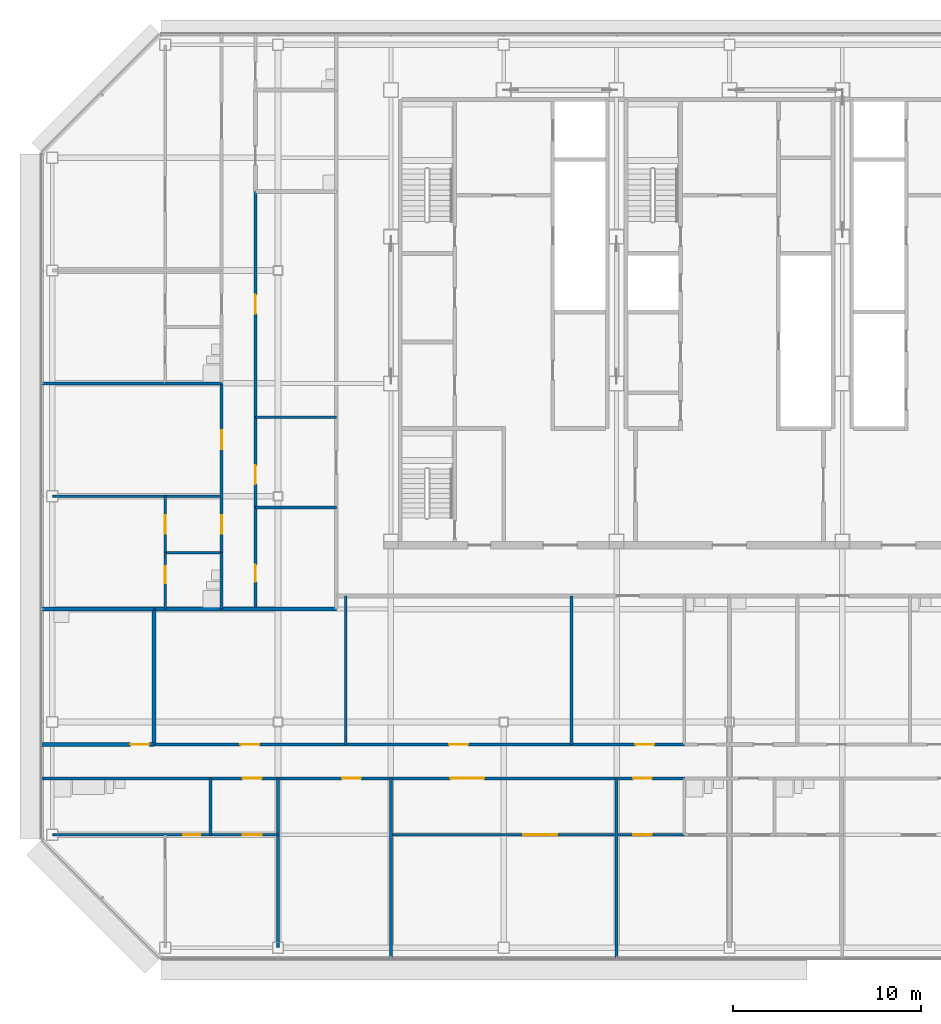
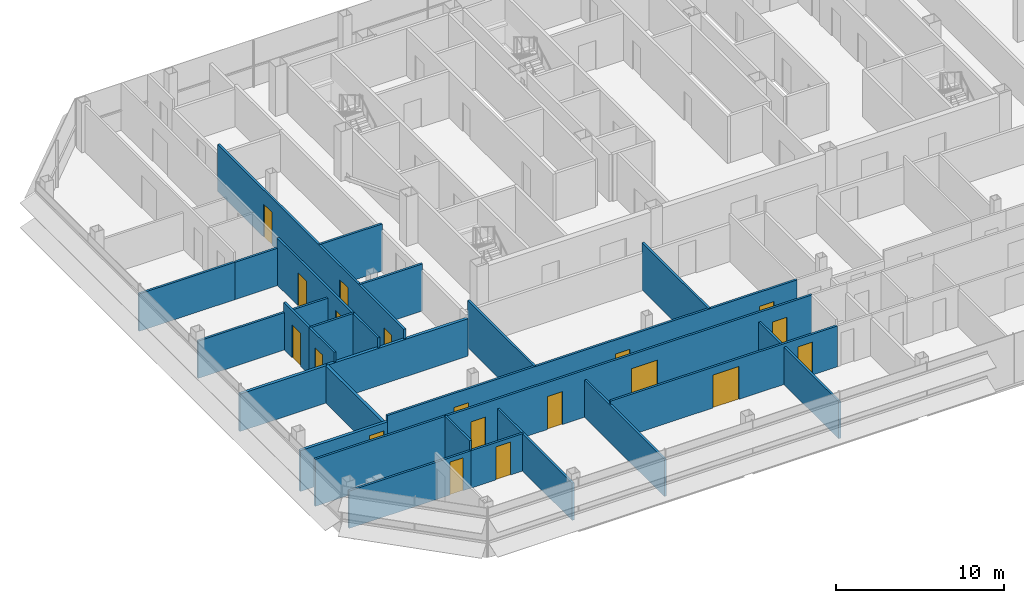
# One storey, part 21 of 28: 27 walls, 19 doors, 19 openings.
"""IFC4 building model written with IfcOpenShell, lengths in metres."""

from ifc_helpers import new_model, si_unit, direction, frame, frame_2d, origin, place, context, subcontext, project, spatial, rectangle, extrude, material, layer, layer_set, type_object, element, fill, save


model = new_model("IFC4")

# Units and contexts
model_context = context("Model", 3, precision=1e-05, world=origin(), true_north=direction((0.0, 1.0)))
body_context = subcontext(model_context, "Body", "Model", "MODEL_VIEW")
ifc_project = project(units=[si_unit("LENGTHUNIT", "METRE"), si_unit("AREAUNIT", "SQUARE_METRE"), si_unit("VOLUMEUNIT", "CUBIC_METRE"), si_unit("PLANEANGLEUNIT", "RADIAN"), si_unit("MASSUNIT", "GRAM", prefix="KILO")], contexts=[model_context])

# Site, building, storey
site_placement = place(None, origin())
site = spatial("IfcSite", under=ifc_project, at=site_placement, CompositionType="ELEMENT")
building_placement = place(site_placement, origin())
building = spatial("IfcBuilding", under=site, at=building_placement, Name="Sorahane Residences", CompositionType="ELEMENT")
storey_placement = place(building_placement, frame((0.0, 0.0, 266.60009765625)))
storey = spatial("IfcBuildingStorey", under=building, at=storey_placement, Name="L63", CompositionType="ELEMENT", Elevation=266.60009765625)

# Wall
ifc_material_1 = material(Name="Concrete blockwork C20 wall", Category="masonry")
ifc_layer_1 = layer(ifc_material_1, 0.199951171875)
ifc_layer_set_1 = layer_set([ifc_layer_1], Name="Kitchen wall 200 EI 180")
wall_type_1 = type_object("IfcWallType", Name="Kitchen wall 200 EI 180", PredefinedType="SOLIDWALL", material=ifc_layer_set_1)
wall_1_placement = place(storey_placement, frame((-6.60009765625, 10.800048828125, 0.0), z_axis=(0.0, 0.0, 1.0), x_axis=(0.0, 1.0, 0.0)))
element("IfcWall", 1, at=wall_1_placement, inside=storey, type_object=wall_type_1, Name="L63 kitchen wall", PredefinedType="SOLIDWALL", context=body_context, shape_type="SweptSolid", body=[
    extrude(rectangle(XDim=7.199951171875, YDim=0.199951171875, at=frame_2d((3.60009765625, 0.0))), origin(), (0.0, 0.0, 1.0), 2.719970703125),
])

# Wall, opening, door
wall_2_placement = place(storey_placement, frame((-12.60009765625, 10.800048828125, 0.0), z_axis=(0.0, 0.0, 1.0), x_axis=(1.0, 0.0, 0.0)))
wall_2 = element("IfcWall", 2, at=wall_2_placement, inside=storey, type_object=wall_type_1, Name="L63 kitchen wall", PredefinedType="SOLIDWALL", context=body_context, shape_type="SweptSolid", body=[
    extrude(rectangle(XDim=6.0, YDim=0.199951171875, at=frame_2d((3.0, 0.0))), origin(), (0.0, 0.0, 1.0), 2.969970703125),
])
opening_1_placement = place(wall_2_placement, frame((4.75, 0.0, 0.0)))
opening_1 = element("IfcOpeningElement", 3, at=opening_1_placement, cuts=wall_2, Name="Opening L63-02", PredefinedType="OPENING", context=body_context, shape_type="SweptSolid", body=[
    extrude(rectangle(XDim=1.0, YDim=2.39990234375, at=frame_2d((0.5, 1.199951171875))), frame((0.0, 0.10986328125, 0.0), z_axis=(0.0, -1.0, 0.0), x_axis=(1.0, 0.0, 0.0)), (0.0, 0.0, 1.0), 0.219970703125),
])
ifc_material_2 = material(Name="Steel", Category="steel")
door_type_1 = type_object("IfcDoorType", Name="Kitchen door 1000x2400 FD120", OperationType="NOTDEFINED", PredefinedType="DOOR", material=ifc_material_2)
door_1_placement = place(opening_1_placement, origin())
door_1 = element("IfcDoor", 4, at=door_1_placement, inside=storey, type_object=door_type_1, Name="Kitchen door L63-02", OperationType="SINGLE_SWING_RIGHT", OverallHeight=2.39990234375, OverallWidth=1.0, PredefinedType="DOOR", context=body_context, shape_type="SweptSolid", body=[
    extrude(rectangle(XDim=1.0, YDim=2.39990234375, at=frame_2d((0.5, 1.199951171875))), frame((0.0, 0.02490234375, 0.0), z_axis=(0.0, -1.0, 0.0), x_axis=(1.0, 0.0, 0.0)), (0.0, 0.0, 1.0), 0.050048828125),
])
fill(opening_1, door_1)

# Wall
wall_3_placement = place(storey_placement, frame((-12.60009765625, 18.0, 0.0), z_axis=(0.0, 0.0, 1.0), x_axis=(1.0, 0.0, 0.0)))
element("IfcWall", 5, at=wall_3_placement, inside=storey, type_object=wall_type_1, Name="L63 kitchen wall", PredefinedType="SOLIDWALL", context=body_context, shape_type="SweptSolid", body=[
    extrude(rectangle(XDim=6.0, YDim=0.199951171875, at=frame_2d((3.0, 0.0))), origin(), (0.0, 0.0, 1.0), 2.719970703125),
])

# Wall, openings, doors
ifc_material_3 = material(Name="Gypsum board partition on steel studs", Category="steel")
ifc_layer_2 = layer(ifc_material_3, 0.14990234375)
ifc_layer_set_2 = layer_set([ifc_layer_2], Name="Partition 150 EI 90")
wall_type_2 = type_object("IfcWallType", Name="Partition 150 EI 90", PredefinedType="PARTITIONING", material=ifc_layer_set_2)
wall_4_placement = place(storey_placement, frame((-1.199951171875, 18.0, 0.0), z_axis=(0.0, 0.0, 1.0), x_axis=(0.0, 1.0, 0.0)))
wall_4 = element("IfcWall", 6, at=wall_4_placement, inside=storey, type_object=wall_type_2, Name="L63 partition", PredefinedType="PARTITIONING", context=body_context, shape_type="SweptSolid", body=[
    extrude(rectangle(XDim=22.199951171875, YDim=0.14990234375, at=frame_2d((11.10009765625, 0.0))), origin(), (0.0, 0.0, 1.0), 3.419921875),
])
opening_2_placement = place(wall_4_placement, frame((6.639892578125, 0.0, 0.0)))
opening_2 = element("IfcOpeningElement", 7, at=opening_2_placement, cuts=wall_4, Name="Opening L63-30", PredefinedType="OPENING", context=body_context, shape_type="SweptSolid", body=[
    extrude(rectangle(XDim=1.0, YDim=2.39990234375, at=frame_2d((0.5, 1.199951171875))), frame((0.0, 0.0849609375, 0.0), z_axis=(0.0, -1.0, 0.0), x_axis=(1.0, 0.0, 0.0)), (0.0, 0.0, 1.0), 0.169921875),
])
opening_3_placement = place(wall_4_placement, frame((1.449951171875, 0.0, 0.0)))
opening_3 = element("IfcOpeningElement", 8, at=opening_3_placement, cuts=wall_4, Name="Opening L63-31", PredefinedType="OPENING", context=body_context, shape_type="SweptSolid", body=[
    extrude(rectangle(XDim=0.89990234375, YDim=2.10009765625, at=frame_2d((0.449951171875, 1.050048828125))), frame((0.0, 0.0849609375, 0.0), z_axis=(0.0, -1.0, 0.0), x_axis=(1.0, 0.0, 0.0)), (0.0, 0.0, 1.0), 0.169921875),
])
opening_4_placement = place(wall_4_placement, frame((15.699951171875, 0.0, 0.0)))
opening_4 = element("IfcOpeningElement", 9, at=opening_4_placement, cuts=wall_4, Name="Opening L63-32", PredefinedType="OPENING", context=body_context, shape_type="SweptSolid", body=[
    extrude(rectangle(XDim=1.0, YDim=2.39990234375, at=frame_2d((0.5, 1.199951171875))), frame((0.0, 0.0849609375, 0.0), z_axis=(0.0, -1.0, 0.0), x_axis=(1.0, 0.0, 0.0)), (0.0, 0.0, 1.0), 0.169921875),
])
ifc_material_4 = material(Name="Timber veneered fire door", Category="wood")
door_type_2 = type_object("IfcDoorType", Name="Room door 1000x2400 FD30", OperationType="NOTDEFINED", PredefinedType="DOOR", material=ifc_material_4)
door_2_placement = place(opening_2_placement, origin())
door_2 = element("IfcDoor", 10, at=door_2_placement, inside=storey, type_object=door_type_2, Name="Room door L63-30", OperationType="SINGLE_SWING_RIGHT", OverallHeight=2.39990234375, OverallWidth=1.0, PredefinedType="DOOR", context=body_context, shape_type="SweptSolid", body=[
    extrude(rectangle(XDim=1.0, YDim=2.39990234375, at=frame_2d((0.5, 1.199951171875))), frame((0.0, 0.02490234375, 0.0), z_axis=(0.0, -1.0, 0.0), x_axis=(1.0, 0.0, 0.0)), (0.0, 0.0, 1.0), 0.050048828125),
])
fill(opening_2, door_2)
door_3_placement = place(opening_4_placement, frame((1.0, 0.0, 0.0), z_axis=(0.0, 0.0, 1.0), x_axis=(-1.0, 0.0, 0.0)))
door_3 = element("IfcDoor", 11, at=door_3_placement, inside=storey, type_object=door_type_2, Name="Room door L63-32", OperationType="SINGLE_SWING_RIGHT", OverallHeight=2.39990234375, OverallWidth=1.0, PredefinedType="DOOR", context=body_context, shape_type="SweptSolid", body=[
    extrude(rectangle(XDim=1.0, YDim=2.39990234375, at=frame_2d((0.5, 1.199951171875))), frame((0.0, 0.02490234375, 0.0), z_axis=(0.0, -1.0, 0.0), x_axis=(1.0, 0.0, 0.0)), (0.0, 0.0, 1.0), 0.050048828125),
])
fill(opening_4, door_3)
ifc_material_5 = material(Name="Timber veneered fire door", Category="wood")
door_type_3 = type_object("IfcDoorType", Name="Service door 900x2100 FD30", OperationType="NOTDEFINED", PredefinedType="DOOR", material=ifc_material_5)
door_4_placement = place(opening_3_placement, frame((0.89990234375, 0.0, 0.0), z_axis=(0.0, 0.0, 1.0), x_axis=(-1.0, 0.0, 0.0)))
door_4 = element("IfcDoor", 12, at=door_4_placement, inside=storey, type_object=door_type_3, Name="Service door L63-31", OperationType="SINGLE_SWING_RIGHT", OverallHeight=2.10009765625, OverallWidth=0.89990234375, PredefinedType="DOOR", context=body_context, shape_type="SweptSolid", body=[
    extrude(rectangle(XDim=0.89990234375, YDim=2.10009765625, at=frame_2d((0.449951171875, 1.050048828125))), frame((0.0, 0.02490234375, 0.0), z_axis=(0.0, -1.0, 0.0), x_axis=(1.0, 0.0, 0.0)), (0.0, 0.0, 1.0), 0.050048828125),
])
fill(opening_3, door_4)

wall_5_placement = place(storey_placement, frame((-3.0, 21.0, 0.0), z_axis=(0.0, 0.0, 1.0), x_axis=(0.0, 1.0, 0.0)))
wall_5 = element("IfcWall", 13, at=wall_5_placement, inside=storey, type_object=wall_type_2, Name="L63 partition", PredefinedType="PARTITIONING", context=body_context, shape_type="SweptSolid", body=[
    extrude(rectangle(XDim=9.0, YDim=0.14990234375, at=frame_2d((4.5, 0.0))), origin(), (0.0, 0.0, 1.0), 3.419921875),
])
opening_5_placement = place(wall_5_placement, frame((1.0, 0.0, 0.0)))
opening_5 = element("IfcOpeningElement", 14, at=opening_5_placement, cuts=wall_5, Name="Opening L63-35", PredefinedType="OPENING", context=body_context, shape_type="SweptSolid", body=[
    extrude(rectangle(XDim=1.0, YDim=2.39990234375, at=frame_2d((0.5, 1.199951171875))), frame((0.0, 0.0849609375, 0.0), z_axis=(0.0, -1.0, 0.0), x_axis=(1.0, 0.0, 0.0)), (0.0, 0.0, 1.0), 0.169921875),
])
opening_6_placement = place(wall_5_placement, frame((5.5, 0.0, 0.0)))
opening_6 = element("IfcOpeningElement", 15, at=opening_6_placement, cuts=wall_5, Name="Opening L63-36", PredefinedType="OPENING", context=body_context, shape_type="SweptSolid", body=[
    extrude(rectangle(XDim=1.0, YDim=2.39990234375, at=frame_2d((0.5, 1.199951171875))), frame((0.0, 0.0849609375, 0.0), z_axis=(0.0, -1.0, 0.0), x_axis=(1.0, 0.0, 0.0)), (0.0, 0.0, 1.0), 0.169921875),
])
door_5_placement = place(opening_5_placement, origin())
door_5 = element("IfcDoor", 16, at=door_5_placement, inside=storey, type_object=door_type_2, Name="Room door L63-35", OperationType="SINGLE_SWING_LEFT", OverallHeight=2.39990234375, OverallWidth=1.0, PredefinedType="DOOR", context=body_context, shape_type="SweptSolid", body=[
    extrude(rectangle(XDim=1.0, YDim=2.39990234375, at=frame_2d((0.5, 1.199951171875))), frame((0.0, 0.02490234375, 0.0), z_axis=(0.0, -1.0, 0.0), x_axis=(1.0, 0.0, 0.0)), (0.0, 0.0, 1.0), 0.050048828125),
])
fill(opening_5, door_5)
door_6_placement = place(opening_6_placement, origin())
door_6 = element("IfcDoor", 17, at=door_6_placement, inside=storey, type_object=door_type_2, Name="Room door L63-36", OperationType="SINGLE_SWING_LEFT", OverallHeight=2.39990234375, OverallWidth=1.0, PredefinedType="DOOR", context=body_context, shape_type="SweptSolid", body=[
    extrude(rectangle(XDim=1.0, YDim=2.39990234375, at=frame_2d((0.5, 1.199951171875))), frame((0.0, 0.02490234375, 0.0), z_axis=(0.0, -1.0, 0.0), x_axis=(1.0, 0.0, 0.0)), (0.0, 0.0, 1.0), 0.050048828125),
])
fill(opening_6, door_6)

# Wall, opening, door
wall_6_placement = place(storey_placement, frame((-6.0, 21.0, 0.0), z_axis=(0.0, 0.0, 1.0), x_axis=(0.0, 1.0, 0.0)))
wall_6 = element("IfcWall", 18, at=wall_6_placement, inside=storey, type_object=wall_type_2, Name="L63 partition", PredefinedType="PARTITIONING", context=body_context, shape_type="SweptSolid", body=[
    extrude(rectangle(XDim=3.0, YDim=0.14990234375, at=frame_2d((1.5, 0.0))), origin(), (0.0, 0.0, 1.0), 3.419921875),
])
opening_7_placement = place(wall_6_placement, frame((1.0, 0.0, 0.0)))
opening_7 = element("IfcOpeningElement", 19, at=opening_7_placement, cuts=wall_6, Name="Opening L63-39", PredefinedType="OPENING", context=body_context, shape_type="SweptSolid", body=[
    extrude(rectangle(XDim=1.0, YDim=2.39990234375, at=frame_2d((0.5, 1.199951171875))), frame((0.0, 0.0849609375, 0.0), z_axis=(0.0, -1.0, 0.0), x_axis=(1.0, 0.0, 0.0)), (0.0, 0.0, 1.0), 0.169921875),
])
door_7_placement = place(opening_7_placement, origin())
door_7 = element("IfcDoor", 20, at=door_7_placement, inside=storey, type_object=door_type_2, Name="Room door L63-39", OperationType="SINGLE_SWING_LEFT", OverallHeight=2.39990234375, OverallWidth=1.0, PredefinedType="DOOR", context=body_context, shape_type="SweptSolid", body=[
    extrude(rectangle(XDim=1.0, YDim=2.39990234375, at=frame_2d((0.5, 1.199951171875))), frame((0.0, 0.02490234375, 0.0), z_axis=(0.0, -1.0, 0.0), x_axis=(1.0, 0.0, 0.0)), (0.0, 0.0, 1.0), 0.050048828125),
])
fill(opening_7, door_7)

# Walls
wall_7_placement = place(storey_placement, frame((0.0, 0.0, 0.0), z_axis=(0.0, 0.0, 1.0), x_axis=(0.0, 1.0, 0.0)))
element("IfcWall", 21, at=wall_7_placement, inside=storey, type_object=wall_type_2, Name="L63 partition", PredefinedType="PARTITIONING", context=body_context, shape_type="SweptSolid", body=[
    extrude(rectangle(XDim=9.0, YDim=0.14990234375, at=frame_2d((4.5, 0.0))), origin(), (0.0, 0.0, 1.0), 2.719970703125),
])
wall_8_placement = place(storey_placement, frame((15.60009765625, 10.800048828125, 0.0), z_axis=(0.0, 0.0, 1.0), x_axis=(0.0, 1.0, 0.0)))
element("IfcWall", 22, at=wall_8_placement, inside=storey, type_object=wall_type_2, Name="L63 partition", PredefinedType="PARTITIONING", context=body_context, shape_type="SweptSolid", body=[
    extrude(rectangle(XDim=7.89990234375, YDim=0.14990234375, at=frame_2d((3.949951171875, 0.0))), origin(), (0.0, 0.0, 1.0), 3.419921875),
])
wall_9_placement = place(storey_placement, frame((18.0, -0.60009765625, 0.0), z_axis=(0.0, 0.0, 1.0), x_axis=(0.0, 1.0, 0.0)))
element("IfcWall", 23, at=wall_9_placement, inside=storey, type_object=wall_type_2, Name="L63 partition", PredefinedType="PARTITIONING", context=body_context, shape_type="SweptSolid", body=[
    extrude(rectangle(XDim=9.60009765625, YDim=0.14990234375, at=frame_2d((4.800048828125, 0.0))), origin(), (0.0, 0.0, 1.0), 2.719970703125),
])
wall_10_placement = place(storey_placement, frame((3.60009765625, 10.800048828125, 0.0), z_axis=(0.0, 0.0, 1.0), x_axis=(0.0, 1.0, 0.0)))
element("IfcWall", 24, at=wall_10_placement, inside=storey, type_object=wall_type_2, Name="L63 partition", PredefinedType="PARTITIONING", context=body_context, shape_type="SweptSolid", body=[
    extrude(rectangle(XDim=7.89990234375, YDim=0.14990234375, at=frame_2d((3.949951171875, 0.0))), origin(), (0.0, 0.0, 1.0), 3.419921875),
])
wall_11_placement = place(storey_placement, frame((6.0, -0.60009765625, 0.0), z_axis=(0.0, 0.0, 1.0), x_axis=(0.0, 1.0, 0.0)))
element("IfcWall", 25, at=wall_11_placement, inside=storey, type_object=wall_type_2, Name="L63 partition", PredefinedType="PARTITIONING", context=body_context, shape_type="SweptSolid", body=[
    extrude(rectangle(XDim=9.60009765625, YDim=0.14990234375, at=frame_2d((4.800048828125, 0.0))), origin(), (0.0, 0.0, 1.0), 2.719970703125),
])

# Wall, openings, doors
wall_12_placement = place(storey_placement, frame((-6.60009765625, 10.800048828125, 0.0), z_axis=(0.0, 0.0, 1.0), x_axis=(1.0, 0.0, 0.0)))
wall_12 = element("IfcWall", 26, at=wall_12_placement, inside=storey, type_object=wall_type_2, Name="L63 partition", PredefinedType="PARTITIONING", context=body_context, shape_type="SweptSolid", body=[
    extrude(rectangle(XDim=28.2001953125, YDim=0.14990234375, at=frame_2d((14.10009765625, 0.0))), origin(), (0.0, 0.0, 1.0), 3.419921875),
])
opening_8_placement = place(wall_12_placement, frame((25.60009765625, 0.0, 0.0)))
opening_8 = element("IfcOpeningElement", 27, at=opening_8_placement, cuts=wall_12, Name="Opening L63-01", PredefinedType="OPENING", context=body_context, shape_type="SweptSolid", body=[
    extrude(rectangle(XDim=1.0, YDim=2.39990234375, at=frame_2d((0.5, 1.199951171875))), frame((0.0, 0.0849609375, 0.0), z_axis=(0.0, -1.0, 0.0), x_axis=(1.0, 0.0, 0.0)), (0.0, 0.0, 1.0), 0.169921875),
])
opening_9_placement = place(wall_12_placement, frame((4.60009765625, 0.0, 0.0)))
opening_9 = element("IfcOpeningElement", 28, at=opening_9_placement, cuts=wall_12, Name="Opening L63-03", PredefinedType="OPENING", context=body_context, shape_type="SweptSolid", body=[
    extrude(rectangle(XDim=1.0, YDim=2.39990234375, at=frame_2d((0.5, 1.199951171875))), frame((0.0, 0.0849609375, 0.0), z_axis=(0.0, -1.0, 0.0), x_axis=(1.0, 0.0, 0.0)), (0.0, 0.0, 1.0), 0.169921875),
])
opening_10_placement = place(wall_12_placement, frame((15.699951171875, 0.0, 0.0)))
opening_10 = element("IfcOpeningElement", 29, at=opening_10_placement, cuts=wall_12, Name="Opening L63-04", PredefinedType="OPENING", context=body_context, shape_type="SweptSolid", body=[
    extrude(rectangle(XDim=1.0, YDim=2.39990234375, at=frame_2d((0.5, 1.199951171875))), frame((0.0, 0.0849609375, 0.0), z_axis=(0.0, -1.0, 0.0), x_axis=(1.0, 0.0, 0.0)), (0.0, 0.0, 1.0), 0.169921875),
])
door_8_placement = place(opening_8_placement, frame((1.0, 0.0, 0.0), z_axis=(0.0, 0.0, 1.0), x_axis=(-1.0, 0.0, 0.0)))
door_8 = element("IfcDoor", 30, at=door_8_placement, inside=storey, type_object=door_type_2, Name="Room door L63-01", OperationType="SINGLE_SWING_LEFT", OverallHeight=2.39990234375, OverallWidth=1.0, PredefinedType="DOOR", context=body_context, shape_type="SweptSolid", body=[
    extrude(rectangle(XDim=1.0, YDim=2.39990234375, at=frame_2d((0.5, 1.199951171875))), frame((0.0, 0.02490234375, 0.0), z_axis=(0.0, -1.0, 0.0), x_axis=(1.0, 0.0, 0.0)), (0.0, 0.0, 1.0), 0.050048828125),
])
fill(opening_8, door_8)
door_9_placement = place(opening_9_placement, origin())
door_9 = element("IfcDoor", 31, at=door_9_placement, inside=storey, type_object=door_type_2, Name="Room door L63-03", OperationType="SINGLE_SWING_LEFT", OverallHeight=2.39990234375, OverallWidth=1.0, PredefinedType="DOOR", context=body_context, shape_type="SweptSolid", body=[
    extrude(rectangle(XDim=1.0, YDim=2.39990234375, at=frame_2d((0.5, 1.199951171875))), frame((0.0, 0.02490234375, 0.0), z_axis=(0.0, -1.0, 0.0), x_axis=(1.0, 0.0, 0.0)), (0.0, 0.0, 1.0), 0.050048828125),
])
fill(opening_9, door_9)
door_10_placement = place(opening_10_placement, origin())
door_10 = element("IfcDoor", 32, at=door_10_placement, inside=storey, type_object=door_type_2, Name="Room door L63-04", OperationType="SINGLE_SWING_RIGHT", OverallHeight=2.39990234375, OverallWidth=1.0, PredefinedType="DOOR", context=body_context, shape_type="SweptSolid", body=[
    extrude(rectangle(XDim=1.0, YDim=2.39990234375, at=frame_2d((0.5, 1.199951171875))), frame((0.0, 0.02490234375, 0.0), z_axis=(0.0, -1.0, 0.0), x_axis=(1.0, 0.0, 0.0)), (0.0, 0.0, 1.0), 0.050048828125),
])
fill(opening_10, door_10)

# Walls
wall_13_placement = place(storey_placement, frame((-1.199951171875, 23.39990234375, 0.0), z_axis=(0.0, 0.0, 1.0), x_axis=(1.0, 0.0, 0.0)))
element("IfcWall", 33, at=wall_13_placement, inside=storey, type_object=wall_type_2, Name="L63 partition", PredefinedType="PARTITIONING", context=body_context, shape_type="SweptSolid", body=[
    extrude(rectangle(XDim=4.300048828125, YDim=0.14990234375, at=frame_2d((2.14990234375, 0.0))), origin(), (0.0, 0.0, 1.0), 3.419921875),
])
wall_14_placement = place(storey_placement, frame((-12.0, 24.0, 0.0), z_axis=(0.0, 0.0, 1.0), x_axis=(1.0, 0.0, 0.0)))
element("IfcWall", 34, at=wall_14_placement, inside=storey, type_object=wall_type_2, Name="L63 partition", PredefinedType="PARTITIONING", context=body_context, shape_type="SweptSolid", body=[
    extrude(rectangle(XDim=9.0, YDim=0.14990234375, at=frame_2d((4.5, 0.0))), origin(), (0.0, 0.0, 1.0), 2.719970703125),
])
wall_15_placement = place(storey_placement, frame((-1.199951171875, 28.199951171875, 0.0), z_axis=(0.0, 0.0, 1.0), x_axis=(1.0, 0.0, 0.0)))
element("IfcWall", 35, at=wall_15_placement, inside=storey, type_object=wall_type_2, Name="L63 partition", PredefinedType="PARTITIONING", context=body_context, shape_type="SweptSolid", body=[
    extrude(rectangle(XDim=4.300048828125, YDim=0.14990234375, at=frame_2d((2.14990234375, 0.0))), origin(), (0.0, 0.0, 1.0), 3.419921875),
])
wall_16_placement = place(storey_placement, frame((-12.60009765625, 30.0, 0.0), z_axis=(0.0, 0.0, 1.0), x_axis=(1.0, 0.0, 0.0)))
element("IfcWall", 36, at=wall_16_placement, inside=storey, type_object=wall_type_2, Name="L63 partition", PredefinedType="PARTITIONING", context=body_context, shape_type="SweptSolid", body=[
    extrude(rectangle(XDim=6.60009765625, YDim=0.14990234375, at=frame_2d((3.300048828125, 0.0))), origin(), (0.0, 0.0, 1.0), 2.719970703125),
])

# Wall, opening, door
wall_17_placement = place(storey_placement, frame((-3.60009765625, 6.0, 0.0), z_axis=(0.0, 0.0, 1.0), x_axis=(1.0, 0.0, 0.0)))
wall_17 = element("IfcWall", 37, at=wall_17_placement, inside=storey, type_object=wall_type_2, Name="L63 partition", PredefinedType="PARTITIONING", context=body_context, shape_type="SweptSolid", body=[
    extrude(rectangle(XDim=3.60009765625, YDim=0.14990234375, at=frame_2d((1.800048828125, 0.0))), origin(), (0.0, 0.0, 1.0), 2.719970703125),
])
opening_11_placement = place(wall_17_placement, frame((1.719970703125, 0.0, 0.0)))
opening_11 = element("IfcOpeningElement", 38, at=opening_11_placement, cuts=wall_17, Name="Opening L63-10", PredefinedType="OPENING", context=body_context, shape_type="SweptSolid", body=[
    extrude(rectangle(XDim=1.0, YDim=2.39990234375, at=frame_2d((0.5, 1.199951171875))), frame((0.0, 0.0849609375, 0.0), z_axis=(0.0, -1.0, 0.0), x_axis=(1.0, 0.0, 0.0)), (0.0, 0.0, 1.0), 0.169921875),
])
door_11_placement = place(opening_11_placement, frame((1.0, 0.0, 0.0), z_axis=(0.0, 0.0, 1.0), x_axis=(-1.0, 0.0, 0.0)))
door_11 = element("IfcDoor", 39, at=door_11_placement, inside=storey, type_object=door_type_2, Name="Room door L63-10", OperationType="SINGLE_SWING_RIGHT", OverallHeight=2.39990234375, OverallWidth=1.0, PredefinedType="DOOR", context=body_context, shape_type="SweptSolid", body=[
    extrude(rectangle(XDim=1.0, YDim=2.39990234375, at=frame_2d((0.5, 1.199951171875))), frame((0.0, 0.02490234375, 0.0), z_axis=(0.0, -1.0, 0.0), x_axis=(1.0, 0.0, 0.0)), (0.0, 0.0, 1.0), 0.050048828125),
])
fill(opening_11, door_11)

# Wall, openings, doors
wall_18_placement = place(storey_placement, frame((6.0, 6.0, 0.0), z_axis=(0.0, 0.0, 1.0), x_axis=(1.0, 0.0, 0.0)))
wall_18 = element("IfcWall", 40, at=wall_18_placement, inside=storey, type_object=wall_type_2, Name="L63 partition", PredefinedType="PARTITIONING", context=body_context, shape_type="SweptSolid", body=[
    extrude(rectangle(XDim=15.60009765625, YDim=0.14990234375, at=frame_2d((7.800048828125, 0.0))), origin(), (0.0, 0.0, 1.0), 2.969970703125),
])
opening_12_placement = place(wall_18_placement, frame((7.0400390625, 0.0, 0.0)))
opening_12 = element("IfcOpeningElement", 41, at=opening_12_placement, cuts=wall_18, Name="Opening L63-13", PredefinedType="OPENING", context=body_context, shape_type="SweptSolid", body=[
    extrude(rectangle(XDim=1.800048828125, YDim=2.39990234375, at=frame_2d((0.89990234375, 1.199951171875))), frame((0.0, 0.0849609375, 0.0), z_axis=(0.0, -1.0, 0.0), x_axis=(1.0, 0.0, 0.0)), (0.0, 0.0, 1.0), 0.169921875),
])
opening_13_placement = place(wall_18_placement, frame((12.8798828125, 0.0, 0.0)))
opening_13 = element("IfcOpeningElement", 42, at=opening_13_placement, cuts=wall_18, Name="Opening L63-14", PredefinedType="OPENING", context=body_context, shape_type="SweptSolid", body=[
    extrude(rectangle(XDim=1.0, YDim=2.39990234375, at=frame_2d((0.5, 1.199951171875))), frame((0.0, 0.0849609375, 0.0), z_axis=(0.0, -1.0, 0.0), x_axis=(1.0, 0.0, 0.0)), (0.0, 0.0, 1.0), 0.169921875),
])
ifc_material_6 = material(Name="Timber veneered fire door", Category="wood")
door_type_4 = type_object("IfcDoorType", Name="Double door 1800x2400 FD30", OperationType="NOTDEFINED", PredefinedType="DOOR", material=ifc_material_6)
door_12_placement = place(opening_12_placement, frame((1.800048828125, 0.0, 0.0), z_axis=(0.0, 0.0, 1.0), x_axis=(-1.0, 0.0, 0.0)))
door_12 = element("IfcDoor", 43, at=door_12_placement, inside=storey, type_object=door_type_4, Name="Double door L63-13", OperationType="SINGLE_SWING_RIGHT", OverallHeight=2.39990234375, OverallWidth=1.800048828125, PredefinedType="DOOR", context=body_context, shape_type="SweptSolid", body=[
    extrude(rectangle(XDim=1.800048828125, YDim=2.39990234375, at=frame_2d((0.89990234375, 1.199951171875))), frame((0.0, 0.02490234375, 0.0), z_axis=(0.0, -1.0, 0.0), x_axis=(1.0, 0.0, 0.0)), (0.0, 0.0, 1.0), 0.050048828125),
])
fill(opening_12, door_12)
door_13_placement = place(opening_13_placement, frame((1.0, 0.0, 0.0), z_axis=(0.0, 0.0, 1.0), x_axis=(-1.0, 0.0, 0.0)))
door_13 = element("IfcDoor", 44, at=door_13_placement, inside=storey, type_object=door_type_2, Name="Room door L63-14", OperationType="SINGLE_SWING_RIGHT", OverallHeight=2.39990234375, OverallWidth=1.0, PredefinedType="DOOR", context=body_context, shape_type="SweptSolid", body=[
    extrude(rectangle(XDim=1.0, YDim=2.39990234375, at=frame_2d((0.5, 1.199951171875))), frame((0.0, 0.02490234375, 0.0), z_axis=(0.0, -1.0, 0.0), x_axis=(1.0, 0.0, 0.0)), (0.0, 0.0, 1.0), 0.050048828125),
])
fill(opening_13, door_13)

wall_19_placement = place(storey_placement, frame((-3.60009765625, 9.0, 0.0), z_axis=(0.0, 0.0, 1.0), x_axis=(1.0, 0.0, 0.0)))
wall_19 = element("IfcWall", 45, at=wall_19_placement, inside=storey, type_object=wall_type_2, Name="L63 partition", PredefinedType="PARTITIONING", context=body_context, shape_type="SweptSolid", body=[
    extrude(rectangle(XDim=25.2001953125, YDim=0.14990234375, at=frame_2d((12.60009765625, 0.0))), origin(), (0.0, 0.0, 1.0), 3.419921875),
])
opening_14_placement = place(wall_19_placement, frame((1.719970703125, 0.0, 0.0)))
opening_14 = element("IfcOpeningElement", 46, at=opening_14_placement, cuts=wall_19, Name="Opening L63-06", PredefinedType="OPENING", context=body_context, shape_type="SweptSolid", body=[
    extrude(rectangle(XDim=1.0, YDim=2.39990234375, at=frame_2d((0.5, 1.199951171875))), frame((0.0, 0.0849609375, 0.0), z_axis=(0.0, -1.0, 0.0), x_axis=(1.0, 0.0, 0.0)), (0.0, 0.0, 1.0), 0.169921875),
])
opening_15_placement = place(wall_19_placement, frame((7.0, 0.0, 0.0)))
opening_15 = element("IfcOpeningElement", 47, at=opening_15_placement, cuts=wall_19, Name="Opening L63-07", PredefinedType="OPENING", context=body_context, shape_type="SweptSolid", body=[
    extrude(rectangle(XDim=1.0, YDim=2.39990234375, at=frame_2d((0.5, 1.199951171875))), frame((0.0, 0.0849609375, 0.0), z_axis=(0.0, -1.0, 0.0), x_axis=(1.0, 0.0, 0.0)), (0.0, 0.0, 1.0), 0.169921875),
])
opening_16_placement = place(wall_19_placement, frame((12.760009765625, 0.0, 0.0)))
opening_16 = element("IfcOpeningElement", 48, at=opening_16_placement, cuts=wall_19, Name="Opening L63-08", PredefinedType="OPENING", context=body_context, shape_type="SweptSolid", body=[
    extrude(rectangle(XDim=1.800048828125, YDim=2.39990234375, at=frame_2d((0.89990234375, 1.199951171875))), frame((0.0, 0.0849609375, 0.0), z_axis=(0.0, -1.0, 0.0), x_axis=(1.0, 0.0, 0.0)), (0.0, 0.0, 1.0), 0.169921875),
])
opening_17_placement = place(wall_19_placement, frame((22.47998046875, 0.0, 0.0)))
opening_17 = element("IfcOpeningElement", 49, at=opening_17_placement, cuts=wall_19, Name="Opening L63-09", PredefinedType="OPENING", context=body_context, shape_type="SweptSolid", body=[
    extrude(rectangle(XDim=1.0, YDim=2.39990234375, at=frame_2d((0.5, 1.199951171875))), frame((0.0, 0.0849609375, 0.0), z_axis=(0.0, -1.0, 0.0), x_axis=(1.0, 0.0, 0.0)), (0.0, 0.0, 1.0), 0.169921875),
])
door_14_placement = place(opening_16_placement, frame((1.800048828125, 0.0, 0.0), z_axis=(0.0, 0.0, 1.0), x_axis=(-1.0, 0.0, 0.0)))
door_14 = element("IfcDoor", 50, at=door_14_placement, inside=storey, type_object=door_type_4, Name="Double door L63-08", OperationType="SINGLE_SWING_LEFT", OverallHeight=2.39990234375, OverallWidth=1.800048828125, PredefinedType="DOOR", context=body_context, shape_type="SweptSolid", body=[
    extrude(rectangle(XDim=1.800048828125, YDim=2.39990234375, at=frame_2d((0.89990234375, 1.199951171875))), frame((0.0, 0.02490234375, 0.0), z_axis=(0.0, -1.0, 0.0), x_axis=(1.0, 0.0, 0.0)), (0.0, 0.0, 1.0), 0.050048828125),
])
fill(opening_16, door_14)
door_15_placement = place(opening_14_placement, frame((1.0, 0.0, 0.0), z_axis=(0.0, 0.0, 1.0), x_axis=(-1.0, 0.0, 0.0)))
door_15 = element("IfcDoor", 51, at=door_15_placement, inside=storey, type_object=door_type_2, Name="Room door L63-06", OperationType="SINGLE_SWING_LEFT", OverallHeight=2.39990234375, OverallWidth=1.0, PredefinedType="DOOR", context=body_context, shape_type="SweptSolid", body=[
    extrude(rectangle(XDim=1.0, YDim=2.39990234375, at=frame_2d((0.5, 1.199951171875))), frame((0.0, 0.02490234375, 0.0), z_axis=(0.0, -1.0, 0.0), x_axis=(1.0, 0.0, 0.0)), (0.0, 0.0, 1.0), 0.050048828125),
])
fill(opening_14, door_15)
door_16_placement = place(opening_15_placement, frame((1.0, 0.0, 0.0), z_axis=(0.0, 0.0, 1.0), x_axis=(-1.0, 0.0, 0.0)))
door_16 = element("IfcDoor", 52, at=door_16_placement, inside=storey, type_object=door_type_2, Name="Room door L63-07", OperationType="SINGLE_SWING_LEFT", OverallHeight=2.39990234375, OverallWidth=1.0, PredefinedType="DOOR", context=body_context, shape_type="SweptSolid", body=[
    extrude(rectangle(XDim=1.0, YDim=2.39990234375, at=frame_2d((0.5, 1.199951171875))), frame((0.0, 0.02490234375, 0.0), z_axis=(0.0, -1.0, 0.0), x_axis=(1.0, 0.0, 0.0)), (0.0, 0.0, 1.0), 0.050048828125),
])
fill(opening_15, door_16)
door_17_placement = place(opening_17_placement, frame((1.0, 0.0, 0.0), z_axis=(0.0, 0.0, 1.0), x_axis=(-1.0, 0.0, 0.0)))
door_17 = element("IfcDoor", 53, at=door_17_placement, inside=storey, type_object=door_type_2, Name="Room door L63-09", OperationType="SINGLE_SWING_LEFT", OverallHeight=2.39990234375, OverallWidth=1.0, PredefinedType="DOOR", context=body_context, shape_type="SweptSolid", body=[
    extrude(rectangle(XDim=1.0, YDim=2.39990234375, at=frame_2d((0.5, 1.199951171875))), frame((0.0, 0.02490234375, 0.0), z_axis=(0.0, -1.0, 0.0), x_axis=(1.0, 0.0, 0.0)), (0.0, 0.0, 1.0), 0.050048828125),
])
fill(opening_17, door_17)

# Walls
ifc_material_7 = material(Name="Concrete blockwork C20 wall", Category="masonry")
ifc_layer_3 = layer(ifc_material_7, 0.199951171875)
ifc_layer_set_3 = layer_set([ifc_layer_3], Name="Party wall 200 EI 120")
wall_type_3 = type_object("IfcWallType", Name="Party wall 200 EI 120", PredefinedType="SOLIDWALL", material=ifc_layer_set_3)
wall_20_placement = place(storey_placement, frame((-6.60009765625, 18.0, 0.0), z_axis=(0.0, 0.0, 1.0), x_axis=(1.0, 0.0, 0.0)))
element("IfcWall", 54, at=wall_20_placement, inside=storey, type_object=wall_type_3, Name="L63 party wall", PredefinedType="SOLIDWALL", context=body_context, shape_type="SweptSolid", body=[
    extrude(rectangle(XDim=9.7001953125, YDim=0.199951171875, at=frame_2d((4.85009765625, 0.0))), origin(), (0.0, 0.0, 1.0), 2.719970703125),
])
ifc_material_8 = material(Name="Gypsum board partition on steel studs", Category="steel")
ifc_layer_4 = layer(ifc_material_8, 0.14990234375)
ifc_layer_set_4 = layer_set([ifc_layer_4], Name="Wet wall 150 EI 90")
wall_type_4 = type_object("IfcWallType", Name="Wet wall 150 EI 90", PredefinedType="PARTITIONING", material=ifc_layer_set_4)
for number, where, z_axis, x_axis, name in (
    (55, (-3.0, 18.0, 0.0), (0.0, 0.0, 1.0), (0.0, 1.0, 0.0), "L63 wet wall"),
    (56, (-3.60009765625, 6.0, 0.0), (0.0, 0.0, 1.0), (0.0, 1.0, 0.0), "L63 wet wall"),
):
    element("IfcWall", number, at=place(storey_placement, frame(where, z_axis=z_axis, x_axis=x_axis)), inside=storey, type_object=wall_type_4, Name=name, PredefinedType="PARTITIONING", context=body_context, shape_type="SweptSolid", body=[
        extrude(rectangle(XDim=3.0, YDim=0.14990234375, at=frame_2d((1.5, 0.0))), origin(), (0.0, 0.0, 1.0), 3.419921875),
    ])

# Wall, opening, door
wall_21_placement = place(storey_placement, frame((-6.0, 18.0, 0.0), z_axis=(0.0, 0.0, 1.0), x_axis=(0.0, 1.0, 0.0)))
wall_21 = element("IfcWall", 57, at=wall_21_placement, inside=storey, type_object=wall_type_4, Name="L63 wet wall", PredefinedType="PARTITIONING", context=body_context, shape_type="SweptSolid", body=[
    extrude(rectangle(XDim=3.0, YDim=0.14990234375, at=frame_2d((1.5, 0.0))), origin(), (0.0, 0.0, 1.0), 3.419921875),
])
opening_18_placement = place(wall_21_placement, frame((1.3701171875, 0.0, 0.0)))
opening_18 = element("IfcOpeningElement", 58, at=opening_18_placement, cuts=wall_21, Name="Opening L63-40", PredefinedType="OPENING", context=body_context, shape_type="SweptSolid", body=[
    extrude(rectangle(XDim=0.89990234375, YDim=2.39990234375, at=frame_2d((0.449951171875, 1.199951171875))), frame((0.0, 0.0849609375, 0.0), z_axis=(0.0, -1.0, 0.0), x_axis=(1.0, 0.0, 0.0)), (0.0, 0.0, 1.0), 0.169921875),
])
ifc_material_9 = material(Name="Timber veneered fire door", Category="wood")
door_type_5 = type_object("IfcDoorType", Name="Bathroom door 900x2400 FD30", OperationType="NOTDEFINED", PredefinedType="DOOR", material=ifc_material_9)
door_18_placement = place(opening_18_placement, origin())
door_18 = element("IfcDoor", 59, at=door_18_placement, inside=storey, type_object=door_type_5, Name="Bathroom door L63-40", OperationType="SINGLE_SWING_RIGHT", OverallHeight=2.39990234375, OverallWidth=0.89990234375, PredefinedType="DOOR", context=body_context, shape_type="SweptSolid", body=[
    extrude(rectangle(XDim=0.89990234375, YDim=2.39990234375, at=frame_2d((0.449951171875, 1.199951171875))), frame((0.0, 0.02490234375, 0.0), z_axis=(0.0, -1.0, 0.0), x_axis=(1.0, 0.0, 0.0)), (0.0, 0.0, 1.0), 0.050048828125),
])
fill(opening_18, door_18)

# Walls
wall_22_placement = place(storey_placement, frame((-6.0, 21.0, 0.0), z_axis=(0.0, 0.0, 1.0), x_axis=(1.0, 0.0, 0.0)))
element("IfcWall", 60, at=wall_22_placement, inside=storey, type_object=wall_type_4, Name="L63 wet wall", PredefinedType="PARTITIONING", context=body_context, shape_type="SweptSolid", body=[
    extrude(rectangle(XDim=3.0, YDim=0.14990234375, at=frame_2d((1.5, 0.0))), origin(), (0.0, 0.0, 1.0), 3.419921875),
])
wall_23_placement = place(storey_placement, frame((-6.0, 30.0, 0.0), z_axis=(0.0, 0.0, 1.0), x_axis=(1.0, 0.0, 0.0)))
element("IfcWall", 61, at=wall_23_placement, inside=storey, type_object=wall_type_4, Name="L63 wet wall", PredefinedType="PARTITIONING", context=body_context, shape_type="SweptSolid", body=[
    extrude(rectangle(XDim=3.0, YDim=0.14990234375, at=frame_2d((1.5, 0.0))), origin(), (0.0, 0.0, 1.0), 2.719970703125),
])

# Wall, opening, door
wall_24_placement = place(storey_placement, frame((-12.0, 6.0, 0.0), z_axis=(0.0, 0.0, 1.0), x_axis=(1.0, 0.0, 0.0)))
wall_24 = element("IfcWall", 62, at=wall_24_placement, inside=storey, type_object=wall_type_4, Name="L63 wet wall", PredefinedType="PARTITIONING", context=body_context, shape_type="SweptSolid", body=[
    extrude(rectangle(XDim=8.39990234375, YDim=0.14990234375, at=frame_2d((4.199951171875, 0.0))), origin(), (0.0, 0.0, 1.0), 2.719970703125),
])
opening_19_placement = place(wall_24_placement, frame((6.949951171875, 0.0, 0.0)))
opening_19 = element("IfcOpeningElement", 63, at=opening_19_placement, cuts=wall_24, Name="Opening L63-12", PredefinedType="OPENING", context=body_context, shape_type="SweptSolid", body=[
    extrude(rectangle(XDim=0.89990234375, YDim=2.39990234375, at=frame_2d((0.449951171875, 1.199951171875))), frame((0.0, 0.0849609375, 0.0), z_axis=(0.0, -1.0, 0.0), x_axis=(1.0, 0.0, 0.0)), (0.0, 0.0, 1.0), 0.169921875),
])
door_19_placement = place(opening_19_placement, frame((0.89990234375, 0.0, 0.0), z_axis=(0.0, 0.0, 1.0), x_axis=(-1.0, 0.0, 0.0)))
door_19 = element("IfcDoor", 64, at=door_19_placement, inside=storey, type_object=door_type_5, Name="Bathroom door L63-12", OperationType="SINGLE_SWING_RIGHT", OverallHeight=2.39990234375, OverallWidth=0.89990234375, PredefinedType="DOOR", context=body_context, shape_type="SweptSolid", body=[
    extrude(rectangle(XDim=0.89990234375, YDim=2.39990234375, at=frame_2d((0.449951171875, 1.199951171875))), frame((0.0, 0.02490234375, 0.0), z_axis=(0.0, -1.0, 0.0), x_axis=(1.0, 0.0, 0.0)), (0.0, 0.0, 1.0), 0.050048828125),
])
fill(opening_19, door_19)

# Wall
wall_25_placement = place(storey_placement, frame((-12.60009765625, 9.0, 0.0), z_axis=(0.0, 0.0, 1.0), x_axis=(1.0, 0.0, 0.0)))
element("IfcWall", 65, at=wall_25_placement, inside=storey, type_object=wall_type_4, Name="L63 wet wall", PredefinedType="PARTITIONING", context=body_context, shape_type="SweptSolid", body=[
    extrude(rectangle(XDim=9.0, YDim=0.14990234375, at=frame_2d((4.5, 0.0))), origin(), (0.0, 0.0, 1.0), 3.419921875),
])

save(model, "model.ifc")
